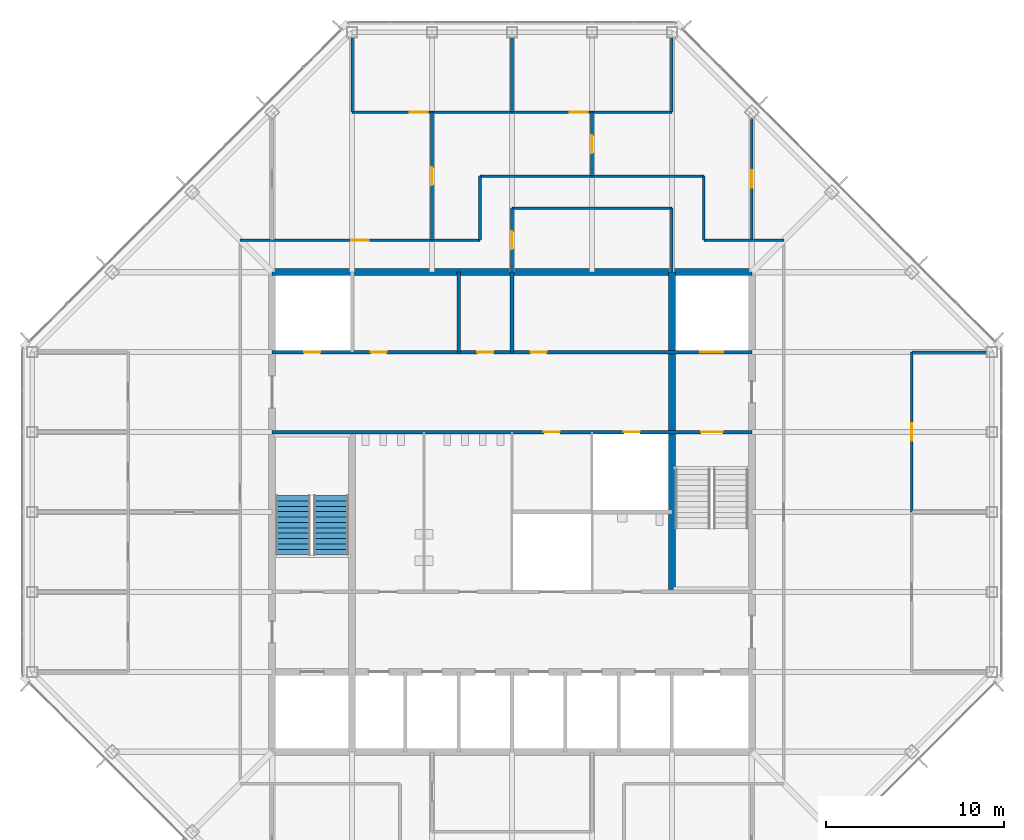
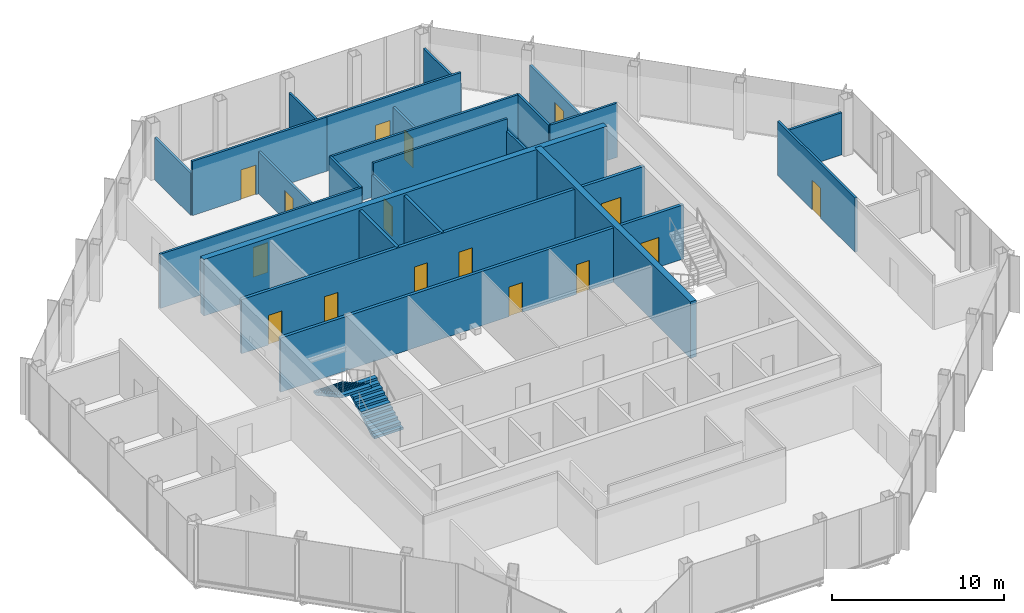
# One storey, part 11 of 14: 24 walls, 16 doors, 2 stair flights, 16 openings, 1 element without a shape of its own.
"""IFC4 building model written with IfcOpenShell, lengths in metres."""

from ifc_helpers import new_model, si_unit, direction, frame, frame_2d, origin, place, context, subcontext, project, spatial, polyline, rectangle, outline, extrude, material, layer, layer_set, type_object, element, fill, aggregate, save


model = new_model("IFC4")

# Units and contexts
model_context = context("Model", 3, precision=1e-05, world=origin(), true_north=direction((0.0, 1.0)))
body_context = subcontext(model_context, "Body", "Model", "MODEL_VIEW")
ifc_project = project(units=[si_unit("LENGTHUNIT", "METRE"), si_unit("AREAUNIT", "SQUARE_METRE"), si_unit("VOLUMEUNIT", "CUBIC_METRE"), si_unit("PLANEANGLEUNIT", "RADIAN"), si_unit("MASSUNIT", "GRAM", prefix="KILO")], contexts=[model_context])

# Site, building, storey
site_placement = place(None, origin())
site = spatial("IfcSite", under=ifc_project, at=site_placement, CompositionType="ELEMENT")
building_placement = place(site_placement, origin())
building = spatial("IfcBuilding", under=site, at=building_placement, Name="Corais Broadcast Tower", CompositionType="ELEMENT")
storey_placement = place(building_placement, frame((0.0, 0.0, 262.60009765625)))
storey = spatial("IfcBuildingStorey", under=building, at=storey_placement, Name="L61", CompositionType="ELEMENT", Elevation=262.60009765625)

# Wall, openings, doors
ifc_material_1 = material(Name="Concrete blockwork class A, grouted, two-hour", Category="masonry")
ifc_layer_1 = layer(ifc_material_1, 0.199951171875)
ifc_layer_set_1 = layer_set([ifc_layer_1], Name="Concrete blockwork class A, grouted, two-hour")
wall_type_1 = type_object("IfcWallType", Name="Core lobby wall 200", PredefinedType="SOLIDWALL", material=ifc_layer_set_1)
wall_1_placement = place(storey_placement, frame((13.5, 31.5, 0.0), z_axis=(0.0, 0.0, 1.0), x_axis=(1.0, 0.0, 0.0)))
wall_1 = element("IfcWall", 1, at=wall_1_placement, inside=storey, type_object=wall_type_1, Name="CL3 core lobby wall Y315 L61", PredefinedType="SOLIDWALL", context=body_context, shape_type="SweptSolid", body=[
    extrude(rectangle(XDim=27.0, YDim=0.199951171875, at=frame_2d((13.5, 0.0))), origin(), (0.0, 0.0, 1.0), 3.83984375),
])
opening_1_placement = place(wall_1_placement, frame((24.14990234375, 0.0, 0.0)))
opening_1 = element("IfcOpeningElement", 2, at=opening_1_placement, cuts=wall_1, Name="Opening FD1", PredefinedType="OPENING", context=body_context, shape_type="SweptSolid", body=[
    extrude(rectangle(XDim=1.199951171875, YDim=2.10009765625, at=frame_2d((0.60009765625, 1.050048828125))), frame((0.0, 0.10986328125, 0.0), z_axis=(0.0, -1.0, 0.0), x_axis=(1.0, 0.0, 0.0)), (0.0, 0.0, 1.0), 0.219970703125),
])
opening_2_placement = place(wall_1_placement, frame((15.300048828125, 0.0, 0.0)))
opening_2 = element("IfcOpeningElement", 3, at=opening_2_placement, cuts=wall_1, Name="Opening RD1", PredefinedType="OPENING", context=body_context, shape_type="SweptSolid", body=[
    extrude(rectangle(XDim=0.89990234375, YDim=2.10009765625, at=frame_2d((0.449951171875, 1.050048828125))), frame((0.0, 0.10986328125, 0.0), z_axis=(0.0, -1.0, 0.0), x_axis=(1.0, 0.0, 0.0)), (0.0, 0.0, 1.0), 0.219970703125),
])
opening_3_placement = place(wall_1_placement, frame((19.800048828125, 0.0, 0.0)))
opening_3 = element("IfcOpeningElement", 4, at=opening_3_placement, cuts=wall_1, Name="Opening RD1", PredefinedType="OPENING", context=body_context, shape_type="SweptSolid", body=[
    extrude(rectangle(XDim=0.89990234375, YDim=2.10009765625, at=frame_2d((0.449951171875, 1.050048828125))), frame((0.0, 0.10986328125, 0.0), z_axis=(0.0, -1.0, 0.0), x_axis=(1.0, 0.0, 0.0)), (0.0, 0.0, 1.0), 0.219970703125),
])
ifc_material_2 = material(Name="Steel fire door", Category="steel")
door_type_1 = type_object("IfcDoorType", Name="Fire door 1200x2100", OperationType="SINGLE_SWING_LEFT", PredefinedType="DOOR", material=ifc_material_2)
door_1_placement = place(opening_1_placement, origin())
door_1 = element("IfcDoor", 5, at=door_1_placement, inside=storey, type_object=door_type_1, Name="FD1 stair B door L61", OperationType="SINGLE_SWING_RIGHT", OverallHeight=2.10009765625, OverallWidth=1.199951171875, PredefinedType="DOOR", context=body_context, shape_type="SweptSolid", body=[
    extrude(rectangle(XDim=1.199951171875, YDim=2.10009765625, at=frame_2d((0.60009765625, 1.050048828125))), frame((0.0, 0.02490234375, 0.0), z_axis=(0.0, -1.0, 0.0), x_axis=(1.0, 0.0, 0.0)), (0.0, 0.0, 1.0), 0.050048828125),
])
fill(opening_1, door_1)
ifc_material_3 = material(Name="Steel fire door", Category="steel")
door_type_2 = type_object("IfcDoorType", Name="Riser door 900x2100", OperationType="SINGLE_SWING_LEFT", PredefinedType="DOOR", material=ifc_material_3)
door_2_placement = place(opening_2_placement, origin())
door_2 = element("IfcDoor", 6, at=door_2_placement, inside=storey, type_object=door_type_2, Name="RD1 tea point door L61", OperationType="SINGLE_SWING_RIGHT", OverallHeight=2.10009765625, OverallWidth=0.89990234375, PredefinedType="DOOR", context=body_context, shape_type="SweptSolid", body=[
    extrude(rectangle(XDim=0.89990234375, YDim=2.10009765625, at=frame_2d((0.449951171875, 1.050048828125))), frame((0.0, 0.02490234375, 0.0), z_axis=(0.0, -1.0, 0.0), x_axis=(1.0, 0.0, 0.0)), (0.0, 0.0, 1.0), 0.050048828125),
])
fill(opening_2, door_2)
door_3_placement = place(opening_3_placement, origin())
door_3 = element("IfcDoor", 7, at=door_3_placement, inside=storey, type_object=door_type_2, Name="RD1 riser door L61", OperationType="SINGLE_SWING_RIGHT", OverallHeight=2.10009765625, OverallWidth=0.89990234375, PredefinedType="DOOR", context=body_context, shape_type="SweptSolid", body=[
    extrude(rectangle(XDim=0.89990234375, YDim=2.10009765625, at=frame_2d((0.449951171875, 1.050048828125))), frame((0.0, 0.02490234375, 0.0), z_axis=(0.0, -1.0, 0.0), x_axis=(1.0, 0.0, 0.0)), (0.0, 0.0, 1.0), 0.050048828125),
])
fill(opening_3, door_3)

# Walls
ifc_material_4 = material(Name="Concrete C50/60", Category="concrete")
ifc_layer_2 = layer(ifc_material_4, 0.39990234375)
ifc_layer_set_2 = layer_set([ifc_layer_2], Name="Concrete C50/60")
wall_type_2 = type_object("IfcWallType", Name="Core wall 400", PredefinedType="SHEAR", material=ifc_layer_set_2)
wall_2_placement = place(storey_placement, frame((40.5, 40.5, 0.0), z_axis=(0.0, 0.0, 1.0), x_axis=(-1.0, 0.0, 0.0)))
element("IfcWall", 8, at=wall_2_placement, inside=storey, type_object=wall_type_2, Name="CR400 core wall N L61", PredefinedType="SHEAR", context=body_context, shape_type="SweptSolid", body=[
    extrude(rectangle(XDim=27.0, YDim=0.39990234375, at=frame_2d((13.5, 0.0))), origin(), (0.0, 0.0, 1.0), 4.0),
])
wall_3_placement = place(storey_placement, frame((36.0, 22.5, 0.0), z_axis=(0.0, 0.0, 1.0), x_axis=(0.0, 1.0, 0.0)))
element("IfcWall", 9, at=wall_3_placement, inside=storey, type_object=wall_type_2, Name="CR400 core wall X36B L61", PredefinedType="SHEAR", context=body_context, shape_type="SweptSolid", body=[
    extrude(rectangle(XDim=18.0, YDim=0.39990234375, at=frame_2d((9.0, 0.0))), origin(), (0.0, 0.0, 1.0), 4.0),
])

# Wall, openings, doors
ifc_material_5 = material(Name="Concrete blockwork class A, grouted, four-hour", Category="masonry")
ifc_layer_3 = layer(ifc_material_5, 0.199951171875)
ifc_layer_set_3 = layer_set([ifc_layer_3], Name="Concrete blockwork class A, grouted, four-hour")
wall_type_3 = type_object("IfcWallType", Name="Emergency lift shaft wall 200", PredefinedType="SOLIDWALL", material=ifc_layer_set_3)
wall_4_placement = place(storey_placement, frame((13.5, 36.0, 0.0), z_axis=(0.0, 0.0, 1.0), x_axis=(1.0, 0.0, 0.0)))
wall_4 = element("IfcWall", 10, at=wall_4_placement, inside=storey, type_object=wall_type_3, Name="LS3 core lobby wall Y36 L61", PredefinedType="SOLIDWALL", context=body_context, shape_type="SweptSolid", body=[
    extrude(rectangle(XDim=27.0, YDim=0.199951171875, at=frame_2d((13.5, 0.0))), origin(), (0.0, 0.0, 1.0), 3.83984375),
])
opening_4_placement = place(wall_4_placement, frame((1.800048828125, 0.0, 0.0)))
opening_4 = element("IfcOpeningElement", 11, at=opening_4_placement, cuts=wall_4, Name="Opening RD1", PredefinedType="OPENING", context=body_context, shape_type="SweptSolid", body=[
    extrude(rectangle(XDim=0.89990234375, YDim=2.10009765625, at=frame_2d((0.449951171875, 1.050048828125))), frame((0.0, 0.10986328125, 0.0), z_axis=(0.0, -1.0, 0.0), x_axis=(1.0, 0.0, 0.0)), (0.0, 0.0, 1.0), 0.219970703125),
])
opening_5_placement = place(wall_4_placement, frame((5.550048828125, 0.0, 0.0)))
opening_5 = element("IfcOpeningElement", 12, at=opening_5_placement, cuts=wall_4, Name="Opening RD1", PredefinedType="OPENING", context=body_context, shape_type="SweptSolid", body=[
    extrude(rectangle(XDim=0.89990234375, YDim=2.10009765625, at=frame_2d((0.449951171875, 1.050048828125))), frame((0.0, 0.10986328125, 0.0), z_axis=(0.0, -1.0, 0.0), x_axis=(1.0, 0.0, 0.0)), (0.0, 0.0, 1.0), 0.219970703125),
])
opening_6_placement = place(wall_4_placement, frame((11.550048828125, 0.0, 0.0)))
opening_6 = element("IfcOpeningElement", 13, at=opening_6_placement, cuts=wall_4, Name="Opening RD1", PredefinedType="OPENING", context=body_context, shape_type="SweptSolid", body=[
    extrude(rectangle(XDim=0.89990234375, YDim=2.10009765625, at=frame_2d((0.449951171875, 1.050048828125))), frame((0.0, 0.10986328125, 0.0), z_axis=(0.0, -1.0, 0.0), x_axis=(1.0, 0.0, 0.0)), (0.0, 0.0, 1.0), 0.219970703125),
])
opening_7_placement = place(wall_4_placement, frame((14.550048828125, 0.0, 0.0)))
opening_7 = element("IfcOpeningElement", 14, at=opening_7_placement, cuts=wall_4, Name="Opening RD1", PredefinedType="OPENING", context=body_context, shape_type="SweptSolid", body=[
    extrude(rectangle(XDim=0.89990234375, YDim=2.10009765625, at=frame_2d((0.449951171875, 1.050048828125))), frame((0.0, 0.10986328125, 0.0), z_axis=(0.0, -1.0, 0.0), x_axis=(1.0, 0.0, 0.0)), (0.0, 0.0, 1.0), 0.219970703125),
])
opening_8_placement = place(wall_4_placement, frame((24.10009765625, 0.0, 0.0)))
opening_8 = element("IfcOpeningElement", 15, at=opening_8_placement, cuts=wall_4, Name="Opening LD2", PredefinedType="OPENING", context=body_context, shape_type="SweptSolid", body=[
    extrude(rectangle(XDim=1.300048828125, YDim=2.199951171875, at=frame_2d((0.64990234375, 1.10009765625))), frame((0.0, 0.10986328125, 0.0), z_axis=(0.0, -1.0, 0.0), x_axis=(1.0, 0.0, 0.0)), (0.0, 0.0, 1.0), 0.219970703125),
])
ifc_material_6 = material(Name="Stainless steel lift door", Category="steel")
door_type_3 = type_object("IfcDoorType", Name="Lift landing door 1300x2200", OperationType="SLIDING_TO_LEFT", PredefinedType="DOOR", material=ifc_material_6)
door_4_placement = place(opening_8_placement, origin())
door_4 = element("IfcDoor", 16, at=door_4_placement, inside=storey, type_object=door_type_3, Name="LD2 FL2 landing door L61", OperationType="SLIDING_TO_LEFT", OverallHeight=2.199951171875, OverallWidth=1.300048828125, PredefinedType="DOOR", context=body_context, shape_type="SweptSolid", body=[
    extrude(rectangle(XDim=1.300048828125, YDim=2.199951171875, at=frame_2d((0.64990234375, 1.10009765625))), frame((0.0, 0.02490234375, 0.0), z_axis=(0.0, -1.0, 0.0), x_axis=(1.0, 0.0, 0.0)), (0.0, 0.0, 1.0), 0.050048828125),
])
fill(opening_8, door_4)
door_5_placement = place(opening_4_placement, origin())
door_5 = element("IfcDoor", 17, at=door_5_placement, inside=storey, type_object=door_type_2, Name="RD1 riser door L61", OperationType="SINGLE_SWING_LEFT", OverallHeight=2.10009765625, OverallWidth=0.89990234375, PredefinedType="DOOR", context=body_context, shape_type="SweptSolid", body=[
    extrude(rectangle(XDim=0.89990234375, YDim=2.10009765625, at=frame_2d((0.449951171875, 1.050048828125))), frame((0.0, 0.02490234375, 0.0), z_axis=(0.0, -1.0, 0.0), x_axis=(1.0, 0.0, 0.0)), (0.0, 0.0, 1.0), 0.050048828125),
])
fill(opening_4, door_5)
door_6_placement = place(opening_5_placement, origin())
door_6 = element("IfcDoor", 18, at=door_6_placement, inside=storey, type_object=door_type_2, Name="RD1 print room door L61", OperationType="SINGLE_SWING_LEFT", OverallHeight=2.10009765625, OverallWidth=0.89990234375, PredefinedType="DOOR", context=body_context, shape_type="SweptSolid", body=[
    extrude(rectangle(XDim=0.89990234375, YDim=2.10009765625, at=frame_2d((0.449951171875, 1.050048828125))), frame((0.0, 0.02490234375, 0.0), z_axis=(0.0, -1.0, 0.0), x_axis=(1.0, 0.0, 0.0)), (0.0, 0.0, 1.0), 0.050048828125),
])
fill(opening_5, door_6)
door_7_placement = place(opening_6_placement, origin())
door_7 = element("IfcDoor", 19, at=door_7_placement, inside=storey, type_object=door_type_2, Name="RD1 wellness room door L61", OperationType="SINGLE_SWING_LEFT", OverallHeight=2.10009765625, OverallWidth=0.89990234375, PredefinedType="DOOR", context=body_context, shape_type="SweptSolid", body=[
    extrude(rectangle(XDim=0.89990234375, YDim=2.10009765625, at=frame_2d((0.449951171875, 1.050048828125))), frame((0.0, 0.02490234375, 0.0), z_axis=(0.0, -1.0, 0.0), x_axis=(1.0, 0.0, 0.0)), (0.0, 0.0, 1.0), 0.050048828125),
])
fill(opening_6, door_7)
door_8_placement = place(opening_7_placement, origin())
door_8 = element("IfcDoor", 20, at=door_8_placement, inside=storey, type_object=door_type_2, Name="RD1 first aid room door L61", OperationType="SINGLE_SWING_RIGHT", OverallHeight=2.10009765625, OverallWidth=0.89990234375, PredefinedType="DOOR", context=body_context, shape_type="SweptSolid", body=[
    extrude(rectangle(XDim=0.89990234375, YDim=2.10009765625, at=frame_2d((0.449951171875, 1.050048828125))), frame((0.0, 0.02490234375, 0.0), z_axis=(0.0, -1.0, 0.0), x_axis=(1.0, 0.0, 0.0)), (0.0, 0.0, 1.0), 0.050048828125),
])
fill(opening_7, door_8)

# Wall, opening, door
ifc_material_7 = material(Name="Gypsum board on steel studs", Category="steel")
ifc_layer_4 = layer(ifc_material_7, 0.14990234375)
ifc_layer_set_4 = layer_set([ifc_layer_4], Name="Gypsum board on steel studs")
wall_type_4 = type_object("IfcWallType", Name="Partition 150", PredefinedType="PARTITIONING", material=ifc_layer_set_4)
wall_5_placement = place(storey_placement, frame((25.199951171875, 42.300048828125, 0.0), z_axis=(0.0, 0.0, 1.0), x_axis=(-1.0, 0.0, 0.0)))
wall_5 = element("IfcWall", 21, at=wall_5_placement, inside=storey, type_object=wall_type_4, Name="IW3 corridor wall L61", PredefinedType="PARTITIONING", context=body_context, shape_type="SweptSolid", body=[
    extrude(rectangle(XDim=13.5, YDim=0.14990234375, at=frame_2d((6.75, 0.0))), origin(), (0.0, 0.0, 1.0), 3.83984375),
])
opening_9_placement = place(wall_5_placement, frame((6.25, 0.0, 0.0)))
opening_9 = element("IfcOpeningElement", 22, at=opening_9_placement, cuts=wall_5, Name="Opening D1", PredefinedType="OPENING", context=body_context, shape_type="SweptSolid", body=[
    extrude(rectangle(XDim=1.0, YDim=2.10009765625, at=frame_2d((0.5, 1.050048828125))), frame((0.0, 0.0849609375, 0.0), z_axis=(0.0, -1.0, 0.0), x_axis=(1.0, 0.0, 0.0)), (0.0, 0.0, 1.0), 0.169921875),
])
ifc_material_8 = material(Name="Timber door", Category="wood")
door_type_4 = type_object("IfcDoorType", Name="Single door 1000x2100", OperationType="SINGLE_SWING_LEFT", PredefinedType="DOOR", material=ifc_material_8)
door_9_placement = place(opening_9_placement, origin())
door_9 = element("IfcDoor", 23, at=door_9_placement, inside=storey, type_object=door_type_4, Name="D1 workplace door L61", OperationType="SINGLE_SWING_LEFT", OverallHeight=2.10009765625, OverallWidth=1.0, PredefinedType="DOOR", context=body_context, shape_type="SweptSolid", body=[
    extrude(rectangle(XDim=1.0, YDim=2.10009765625, at=frame_2d((0.5, 1.050048828125))), frame((0.0, 0.02490234375, 0.0), z_axis=(0.0, -1.0, 0.0), x_axis=(1.0, 0.0, 0.0)), (0.0, 0.0, 1.0), 0.050048828125),
])
fill(opening_9, door_9)

# Walls
wall_6_placement = place(storey_placement, frame((37.800048828125, 45.89990234375, 0.0), z_axis=(0.0, 0.0, 1.0), x_axis=(-1.0, 0.0, 0.0)))
element("IfcWall", 24, at=wall_6_placement, inside=storey, type_object=wall_type_4, Name="IW3 corridor wall L61", PredefinedType="PARTITIONING", context=body_context, shape_type="SweptSolid", body=[
    extrude(rectangle(XDim=12.60009765625, YDim=0.14990234375, at=frame_2d((6.300048828125, 0.0))), origin(), (0.0, 0.0, 1.0), 3.83984375),
])
wall_7_placement = place(storey_placement, frame((42.300048828125, 42.300048828125, 0.0), z_axis=(0.0, 0.0, 1.0), x_axis=(-1.0, 0.0, 0.0)))
element("IfcWall", 25, at=wall_7_placement, inside=storey, type_object=wall_type_4, Name="IW3 corridor wall L61", PredefinedType="PARTITIONING", context=body_context, shape_type="SweptSolid", body=[
    extrude(rectangle(XDim=4.5, YDim=0.14990234375, at=frame_2d((2.25, 0.0))), origin(), (0.0, 0.0, 1.0), 3.83984375),
])
for number, where, z_axis, x_axis, name in (
    (26, (25.199951171875, 45.89990234375, 0.0), (0.0, 0.0, 1.0), (0.0, -1.0, 0.0), "IW3 corridor wall L61"),
    (27, (37.800048828125, 42.300048828125, 0.0), (0.0, 0.0, 1.0), (0.0, 1.0, 0.0), "IW3 corridor wall L61"),
):
    element("IfcWall", number, at=place(storey_placement, frame(where, z_axis=z_axis, x_axis=x_axis)), inside=storey, type_object=wall_type_4, Name=name, PredefinedType="PARTITIONING", context=body_context, shape_type="SweptSolid", body=[
        extrude(rectangle(XDim=3.599853515625, YDim=0.14990234375, at=frame_2d((1.7998046875, 0.0))), origin(), (0.0, 0.0, 1.0), 3.83984375),
    ])
wall_8_placement = place(storey_placement, frame((53.68994140625, 36.0, 0.0), z_axis=(0.0, 0.0, 1.0), x_axis=(-1.0, 0.0, 0.0)))
element("IfcWall", 28, at=wall_8_placement, inside=storey, type_object=wall_type_4, Name="IW3 partition L61", PredefinedType="PARTITIONING", context=body_context, shape_type="SweptSolid", body=[
    extrude(rectangle(XDim=4.18994140625, YDim=0.14990234375, at=frame_2d((2.094970703125, 0.0))), origin(), (0.0, 0.0, 1.0), 2.989013671875),
])

# Wall, opening, door
wall_9_placement = place(storey_placement, frame((49.5, 36.0, 0.0), z_axis=(0.0, 0.0, 1.0), x_axis=(0.0, -1.0, 0.0)))
wall_9 = element("IfcWall", 29, at=wall_9_placement, inside=storey, type_object=wall_type_4, Name="IW3 partition L61", PredefinedType="PARTITIONING", context=body_context, shape_type="SweptSolid", body=[
    extrude(rectangle(XDim=9.0, YDim=0.14990234375, at=frame_2d((4.5, 0.0))), origin(), (0.0, 0.0, 1.0), 3.83984375),
])
opening_10_placement = place(wall_9_placement, frame((4.0, 0.0, 0.0)))
opening_10 = element("IfcOpeningElement", 30, at=opening_10_placement, cuts=wall_9, Name="Opening D1", PredefinedType="OPENING", context=body_context, shape_type="SweptSolid", body=[
    extrude(rectangle(XDim=1.0, YDim=2.10009765625, at=frame_2d((0.5, 1.050048828125))), frame((0.0, 0.0849609375, 0.0), z_axis=(0.0, -1.0, 0.0), x_axis=(1.0, 0.0, 0.0)), (0.0, 0.0, 1.0), 0.169921875),
])
door_10_placement = place(opening_10_placement, origin())
door_10 = element("IfcDoor", 31, at=door_10_placement, inside=storey, type_object=door_type_4, Name="D1 Client meeting room door", OperationType="SINGLE_SWING_LEFT", OverallHeight=2.10009765625, OverallWidth=1.0, PredefinedType="DOOR", context=body_context, shape_type="SweptSolid", body=[
    extrude(rectangle(XDim=1.0, YDim=2.10009765625, at=frame_2d((0.5, 1.050048828125))), frame((0.0, 0.02490234375, 0.0), z_axis=(0.0, -1.0, 0.0), x_axis=(1.0, 0.0, 0.0)), (0.0, 0.0, 1.0), 0.050048828125),
])
fill(opening_10, door_10)

# Walls
wall_10_placement = place(storey_placement, frame((36.0, 40.5, 0.0), z_axis=(0.0, 0.0, 1.0), x_axis=(0.0, 1.0, 0.0)))
element("IfcWall", 32, at=wall_10_placement, inside=storey, type_object=wall_type_4, Name="IW3 partition L61", PredefinedType="PARTITIONING", context=body_context, shape_type="SweptSolid", body=[
    extrude(rectangle(XDim=3.60009765625, YDim=0.14990234375, at=frame_2d((1.800048828125, 0.0))), origin(), (0.0, 0.0, 1.0), 2.989013671875),
])
wall_11_placement = place(storey_placement, frame((36.0, 44.10009765625, 0.0), z_axis=(0.0, 0.0, 1.0), x_axis=(-1.0, 0.0, 0.0)))
element("IfcWall", 33, at=wall_11_placement, inside=storey, type_object=wall_type_4, Name="IW3 partition L61", PredefinedType="PARTITIONING", context=body_context, shape_type="SweptSolid", body=[
    extrude(rectangle(XDim=9.0, YDim=0.14990234375, at=frame_2d((4.5, 0.0))), origin(), (0.0, 0.0, 1.0), 3.83984375),
])

# Wall, opening, door
wall_12_placement = place(storey_placement, frame((27.0, 44.10009765625, 0.0), z_axis=(0.0, 0.0, 1.0), x_axis=(0.0, -1.0, 0.0)))
wall_12 = element("IfcWall", 34, at=wall_12_placement, inside=storey, type_object=wall_type_4, Name="IW3 partition L61", PredefinedType="PARTITIONING", context=body_context, shape_type="SweptSolid", body=[
    extrude(rectangle(XDim=3.60009765625, YDim=0.14990234375, at=frame_2d((1.800048828125, 0.0))), origin(), (0.0, 0.0, 1.0), 2.989013671875),
])
opening_11_placement = place(wall_12_placement, frame((1.300048828125, 0.0, 0.0)))
opening_11 = element("IfcOpeningElement", 35, at=opening_11_placement, cuts=wall_12, Name="Opening D1", PredefinedType="OPENING", context=body_context, shape_type="SweptSolid", body=[
    extrude(rectangle(XDim=1.0, YDim=2.10009765625, at=frame_2d((0.5, 1.050048828125))), frame((0.0, 0.0849609375, 0.0), z_axis=(0.0, -1.0, 0.0), x_axis=(1.0, 0.0, 0.0)), (0.0, 0.0, 1.0), 0.169921875),
])
door_11_placement = place(opening_11_placement, origin())
door_11 = element("IfcDoor", 36, at=door_11_placement, inside=storey, type_object=door_type_4, Name="D1 Pantry door", OperationType="SINGLE_SWING_LEFT", OverallHeight=2.10009765625, OverallWidth=1.0, PredefinedType="DOOR", context=body_context, shape_type="SweptSolid", body=[
    extrude(rectangle(XDim=1.0, YDim=2.10009765625, at=frame_2d((0.5, 1.050048828125))), frame((0.0, 0.02490234375, 0.0), z_axis=(0.0, -1.0, 0.0), x_axis=(1.0, 0.0, 0.0)), (0.0, 0.0, 1.0), 0.050048828125),
])
fill(opening_11, door_11)

wall_13_placement = place(storey_placement, frame((18.0, 49.5, 0.0), z_axis=(0.0, 0.0, 1.0), x_axis=(1.0, 0.0, 0.0)))
wall_13 = element("IfcWall", 37, at=wall_13_placement, inside=storey, type_object=wall_type_4, Name="IW3 partition L61", PredefinedType="PARTITIONING", context=body_context, shape_type="SweptSolid", body=[
    extrude(rectangle(XDim=9.0, YDim=0.14990234375, at=frame_2d((4.5, 0.0))), origin(), (0.0, 0.0, 1.0), 3.83984375),
])
opening_12_placement = place(wall_13_placement, frame((3.25, 0.0, 0.0)))
opening_12 = element("IfcOpeningElement", 38, at=opening_12_placement, cuts=wall_13, Name="Opening D1", PredefinedType="OPENING", context=body_context, shape_type="SweptSolid", body=[
    extrude(rectangle(XDim=1.0, YDim=2.10009765625, at=frame_2d((0.5, 1.050048828125))), frame((0.0, 0.0849609375, 0.0), z_axis=(0.0, -1.0, 0.0), x_axis=(1.0, 0.0, 0.0)), (0.0, 0.0, 1.0), 0.169921875),
])
door_12_placement = place(opening_12_placement, origin())
door_12 = element("IfcDoor", 39, at=door_12_placement, inside=storey, type_object=door_type_4, Name="D1 Client lounge door", OperationType="SINGLE_SWING_LEFT", OverallHeight=2.10009765625, OverallWidth=1.0, PredefinedType="DOOR", context=body_context, shape_type="SweptSolid", body=[
    extrude(rectangle(XDim=1.0, YDim=2.10009765625, at=frame_2d((0.5, 1.050048828125))), frame((0.0, 0.02490234375, 0.0), z_axis=(0.0, -1.0, 0.0), x_axis=(1.0, 0.0, 0.0)), (0.0, 0.0, 1.0), 0.050048828125),
])
fill(opening_12, door_12)

# Walls
for number, where, z_axis, x_axis, name in (
    (40, (27.0, 49.5, 0.0), (0.0, 0.0, 1.0), (0.0, 1.0, 0.0), "IW3 partition L61"),
    (41, (18.0, 53.68994140625, 0.0), (0.0, 0.0, 1.0), (0.0, -1.0, 0.0), "IW3 partition L61"),
):
    element("IfcWall", number, at=place(storey_placement, frame(where, z_axis=z_axis, x_axis=x_axis)), inside=storey, type_object=wall_type_4, Name=name, PredefinedType="PARTITIONING", context=body_context, shape_type="SweptSolid", body=[
        extrude(rectangle(XDim=4.18994140625, YDim=0.14990234375, at=frame_2d((2.094970703125, 0.0))), origin(), (0.0, 0.0, 1.0), 2.989013671875),
    ])

# Wall, opening, door
wall_14_placement = place(storey_placement, frame((27.0, 49.5, 0.0), z_axis=(0.0, 0.0, 1.0), x_axis=(1.0, 0.0, 0.0)))
wall_14 = element("IfcWall", 42, at=wall_14_placement, inside=storey, type_object=wall_type_4, Name="IW3 partition L61", PredefinedType="PARTITIONING", context=body_context, shape_type="SweptSolid", body=[
    extrude(rectangle(XDim=9.0, YDim=0.14990234375, at=frame_2d((4.5, 0.0))), origin(), (0.0, 0.0, 1.0), 3.83984375),
])
opening_13_placement = place(wall_14_placement, frame((3.25, 0.0, 0.0)))
opening_13 = element("IfcOpeningElement", 43, at=opening_13_placement, cuts=wall_14, Name="Opening D1", PredefinedType="OPENING", context=body_context, shape_type="SweptSolid", body=[
    extrude(rectangle(XDim=1.0, YDim=2.10009765625, at=frame_2d((0.5, 1.050048828125))), frame((0.0, 0.0849609375, 0.0), z_axis=(0.0, -1.0, 0.0), x_axis=(1.0, 0.0, 0.0)), (0.0, 0.0, 1.0), 0.169921875),
])
door_13_placement = place(opening_13_placement, origin())
door_13 = element("IfcDoor", 44, at=door_13_placement, inside=storey, type_object=door_type_4, Name="D1 Client lounge door", OperationType="SINGLE_SWING_LEFT", OverallHeight=2.10009765625, OverallWidth=1.0, PredefinedType="DOOR", context=body_context, shape_type="SweptSolid", body=[
    extrude(rectangle(XDim=1.0, YDim=2.10009765625, at=frame_2d((0.5, 1.050048828125))), frame((0.0, 0.02490234375, 0.0), z_axis=(0.0, -1.0, 0.0), x_axis=(1.0, 0.0, 0.0)), (0.0, 0.0, 1.0), 0.050048828125),
])
fill(opening_13, door_13)

# Wall
wall_15_placement = place(storey_placement, frame((36.0, 49.5, 0.0), z_axis=(0.0, 0.0, 1.0), x_axis=(0.0, 1.0, 0.0)))
element("IfcWall", 45, at=wall_15_placement, inside=storey, type_object=wall_type_4, Name="IW3 partition L61", PredefinedType="PARTITIONING", context=body_context, shape_type="SweptSolid", body=[
    extrude(rectangle(XDim=4.18994140625, YDim=0.14990234375, at=frame_2d((2.094970703125, 0.0))), origin(), (0.0, 0.0, 1.0), 2.989013671875),
])

# Wall, opening, door
wall_16_placement = place(storey_placement, frame((22.5, 49.5, 0.0), z_axis=(0.0, 0.0, 1.0), x_axis=(0.0, -1.0, 0.0)))
wall_16 = element("IfcWall", 46, at=wall_16_placement, inside=storey, type_object=wall_type_4, Name="IW3 partition L61", PredefinedType="PARTITIONING", context=body_context, shape_type="SweptSolid", body=[
    extrude(rectangle(XDim=7.199951171875, YDim=0.14990234375, at=frame_2d((3.60009765625, 0.0))), origin(), (0.0, 0.0, 1.0), 2.989013671875),
])
opening_14_placement = place(wall_16_placement, frame((3.10009765625, 0.0, 0.0)))
opening_14 = element("IfcOpeningElement", 47, at=opening_14_placement, cuts=wall_16, Name="Opening D1", PredefinedType="OPENING", context=body_context, shape_type="SweptSolid", body=[
    extrude(rectangle(XDim=1.0, YDim=2.10009765625, at=frame_2d((0.5, 1.050048828125))), frame((0.0, 0.0849609375, 0.0), z_axis=(0.0, -1.0, 0.0), x_axis=(1.0, 0.0, 0.0)), (0.0, 0.0, 1.0), 0.169921875),
])
door_14_placement = place(opening_14_placement, origin())
door_14 = element("IfcDoor", 48, at=door_14_placement, inside=storey, type_object=door_type_4, Name="D1 team room door L61", OperationType="SINGLE_SWING_LEFT", OverallHeight=2.10009765625, OverallWidth=1.0, PredefinedType="DOOR", context=body_context, shape_type="SweptSolid", body=[
    extrude(rectangle(XDim=1.0, YDim=2.10009765625, at=frame_2d((0.5, 1.050048828125))), frame((0.0, 0.02490234375, 0.0), z_axis=(0.0, -1.0, 0.0), x_axis=(1.0, 0.0, 0.0)), (0.0, 0.0, 1.0), 0.050048828125),
])
fill(opening_14, door_14)

wall_17_placement = place(storey_placement, frame((40.5, 42.300048828125, 0.0), z_axis=(0.0, 0.0, 1.0), x_axis=(0.0, 1.0, 0.0)))
wall_17 = element("IfcWall", 49, at=wall_17_placement, inside=storey, type_object=wall_type_4, Name="IW3 partition L61", PredefinedType="PARTITIONING", context=body_context, shape_type="SweptSolid", body=[
    extrude(rectangle(XDim=6.8798828125, YDim=0.14990234375, at=frame_2d((3.43994140625, 0.0))), origin(), (0.0, 0.0, 1.0), 2.989013671875),
])
opening_15_placement = place(wall_17_placement, frame((2.93994140625, 0.0, 0.0)))
opening_15 = element("IfcOpeningElement", 50, at=opening_15_placement, cuts=wall_17, Name="Opening D1", PredefinedType="OPENING", context=body_context, shape_type="SweptSolid", body=[
    extrude(rectangle(XDim=1.0, YDim=2.10009765625, at=frame_2d((0.5, 1.050048828125))), frame((0.0, 0.0849609375, 0.0), z_axis=(0.0, -1.0, 0.0), x_axis=(1.0, 0.0, 0.0)), (0.0, 0.0, 1.0), 0.169921875),
])
door_15_placement = place(opening_15_placement, origin())
door_15 = element("IfcDoor", 51, at=door_15_placement, inside=storey, type_object=door_type_4, Name="D1 team room door L61", OperationType="SINGLE_SWING_LEFT", OverallHeight=2.10009765625, OverallWidth=1.0, PredefinedType="DOOR", context=body_context, shape_type="SweptSolid", body=[
    extrude(rectangle(XDim=1.0, YDim=2.10009765625, at=frame_2d((0.5, 1.050048828125))), frame((0.0, 0.02490234375, 0.0), z_axis=(0.0, -1.0, 0.0), x_axis=(1.0, 0.0, 0.0)), (0.0, 0.0, 1.0), 0.050048828125),
])
fill(opening_15, door_15)

wall_18_placement = place(storey_placement, frame((31.5, 49.5, 0.0), z_axis=(0.0, 0.0, 1.0), x_axis=(0.0, -1.0, 0.0)))
wall_18 = element("IfcWall", 52, at=wall_18_placement, inside=storey, type_object=wall_type_4, Name="IW3 partition L61", PredefinedType="PARTITIONING", context=body_context, shape_type="SweptSolid", body=[
    extrude(rectangle(XDim=3.60009765625, YDim=0.14990234375, at=frame_2d((1.800048828125, 0.0))), origin(), (0.0, 0.0, 1.0), 2.989013671875),
])
opening_16_placement = place(wall_18_placement, frame((1.300048828125, 0.0, 0.0)))
opening_16 = element("IfcOpeningElement", 53, at=opening_16_placement, cuts=wall_18, Name="Opening D1", PredefinedType="OPENING", context=body_context, shape_type="SweptSolid", body=[
    extrude(rectangle(XDim=1.0, YDim=2.10009765625, at=frame_2d((0.5, 1.050048828125))), frame((0.0, 0.0849609375, 0.0), z_axis=(0.0, -1.0, 0.0), x_axis=(1.0, 0.0, 0.0)), (0.0, 0.0, 1.0), 0.169921875),
])
door_16_placement = place(opening_16_placement, origin())
door_16 = element("IfcDoor", 54, at=door_16_placement, inside=storey, type_object=door_type_4, Name="D1 team room door L61", OperationType="SINGLE_SWING_LEFT", OverallHeight=2.10009765625, OverallWidth=1.0, PredefinedType="DOOR", context=body_context, shape_type="SweptSolid", body=[
    extrude(rectangle(XDim=1.0, YDim=2.10009765625, at=frame_2d((0.5, 1.050048828125))), frame((0.0, 0.02490234375, 0.0), z_axis=(0.0, -1.0, 0.0), x_axis=(1.0, 0.0, 0.0)), (0.0, 0.0, 1.0), 0.050048828125),
])
fill(opening_16, door_16)

# Walls
ifc_material_9 = material(Name="Concrete blockwork class A, grouted, two-hour", Category="masonry")
ifc_layer_5 = layer(ifc_material_9, 0.199951171875)
ifc_layer_set_5 = layer_set([ifc_layer_5], Name="Concrete blockwork class A, grouted, two-hour")
wall_type_5 = type_object("IfcWallType", Name="Shaft wall 200", PredefinedType="PARTITIONING", material=ifc_layer_set_5)
for number, where, z_axis, x_axis, name in (
    (55, (24.0, 36.0, 0.0), (0.0, 0.0, 1.0), (0.0, 1.0, 0.0), "IW1 shaft wall L61"),
    (56, (27.0, 36.0, 0.0), (0.0, 0.0, 1.0), (0.0, 1.0, 0.0), "IW1 shaft wall L61"),
):
    element("IfcWall", number, at=place(storey_placement, frame(where, z_axis=z_axis, x_axis=x_axis)), inside=storey, type_object=wall_type_5, Name=name, PredefinedType="PARTITIONING", context=body_context, shape_type="SweptSolid", body=[
        extrude(rectangle(XDim=4.5, YDim=0.199951171875, at=frame_2d((2.25, 0.0))), origin(), (0.0, 0.0, 1.0), 3.83984375),
    ])

# Stair, stair flights
ifc_material_10 = material(Name="Concrete C30/37", Category="concrete")
stair_type = type_object("IfcStairType", Name="Half-turn stair 4000", PredefinedType="HALF_TURN_STAIR", material=ifc_material_10)
stair_placement = place(storey_placement, origin())
stair = element("IfcStair", 57, at=stair_placement, inside=storey, type_object=stair_type, Name="Stair A L61", PredefinedType="HALF_TURN_STAIR")
ifc_material_11 = material(Name="Concrete C30/37", Category="concrete")
stair_flight_type = type_object("IfcStairFlightType", Name="Stair flight 4000", PredefinedType="STRAIGHT", material=ifc_material_11)
stair_flight_1_placement = place(storey_placement, frame((16.824951171875, 24.60009765625, 0.0), z_axis=(0.0, 0.0, 1.0), x_axis=(0.0, 1.0, 0.0)))
stair_flight_1 = element("IfcStairFlight", 58, at=stair_flight_1_placement, type_object=stair_flight_type, Name="STA flight 1", NumberOfRisers=12, NumberOfTreads=11, PredefinedType="STRAIGHT", RiserHeight=0.166666667, TreadLength=0.302, context=body_context, shape_type="SweptSolid", body=[
    extrude(outline(polyline([(0.0, 0.0), (0.0, 0.166748046875), (0.302001953125, 0.166748046875), (0.302001953125, 0.333251953125), (0.60400390625, 0.333251953125), (0.60400390625, 0.5), (0.906005859375, 0.5), (0.906005859375, 0.666748046875), (1.2080078125, 0.666748046875), (1.2080078125, 0.833251953125), (1.510009765625, 0.833251953125), (1.510009765625, 1.0), (1.81201171875, 1.0), (1.81201171875, 1.166748046875), (2.114013671875, 1.166748046875), (2.114013671875, 1.333251953125), (2.416015625, 1.333251953125), (2.416015625, 1.5), (2.718017578125, 1.5), (2.718017578125, 1.666748046875), (3.02001953125, 1.666748046875), (3.02001953125, 1.833251953125), (3.322021484375, 1.833251953125), (3.322021484375, 2.0), (3.322021484375, 1.662109375), (0.310302734375, 0.0), (0.0, 0.0)])), frame((0.0, 0.97509765625, 0.0), z_axis=(0.0, -1.0, 0.0), x_axis=(1.0, 0.0, 0.0)), (0.0, 0.0, 1.0), 1.949951171875),
])
stair_flight_2_placement = place(storey_placement, frame((14.675048828125, 27.922119140625, 2.0), z_axis=(0.0, 0.0, 1.0), x_axis=(0.0, -1.0, 0.0)))
stair_flight_2 = element("IfcStairFlight", 59, at=stair_flight_2_placement, type_object=stair_flight_type, Name="STA flight 2", NumberOfRisers=12, NumberOfTreads=11, PredefinedType="STRAIGHT", RiserHeight=0.166666667, TreadLength=0.302, context=body_context, shape_type="SweptSolid", body=[
    extrude(outline(polyline([(0.0, 0.0), (0.0, 0.166748046875), (0.302001953125, 0.166748046875), (0.302001953125, 0.333251953125), (0.60400390625, 0.333251953125), (0.60400390625, 0.5), (0.906005859375, 0.5), (0.906005859375, 0.666748046875), (1.2080078125, 0.666748046875), (1.2080078125, 0.833251953125), (1.510009765625, 0.833251953125), (1.510009765625, 1.0), (1.81201171875, 1.0), (1.81201171875, 1.166748046875), (2.114013671875, 1.166748046875), (2.114013671875, 1.333251953125), (2.416015625, 1.333251953125), (2.416015625, 1.5), (2.718017578125, 1.5), (2.718017578125, 1.666748046875), (3.02001953125, 1.666748046875), (3.02001953125, 1.833251953125), (3.322021484375, 1.833251953125), (3.322021484375, 2.0), (3.322021484375, 1.662109375), (0.310302734375, 0.0), (0.0, 0.0)])), frame((0.0, 0.97509765625, 0.0), z_axis=(0.0, -1.0, 0.0), x_axis=(1.0, 0.0, 0.0)), (0.0, 0.0, 1.0), 1.949951171875),
])
aggregate(stair, [stair_flight_1, stair_flight_2])

save(model, "model.ifc")
